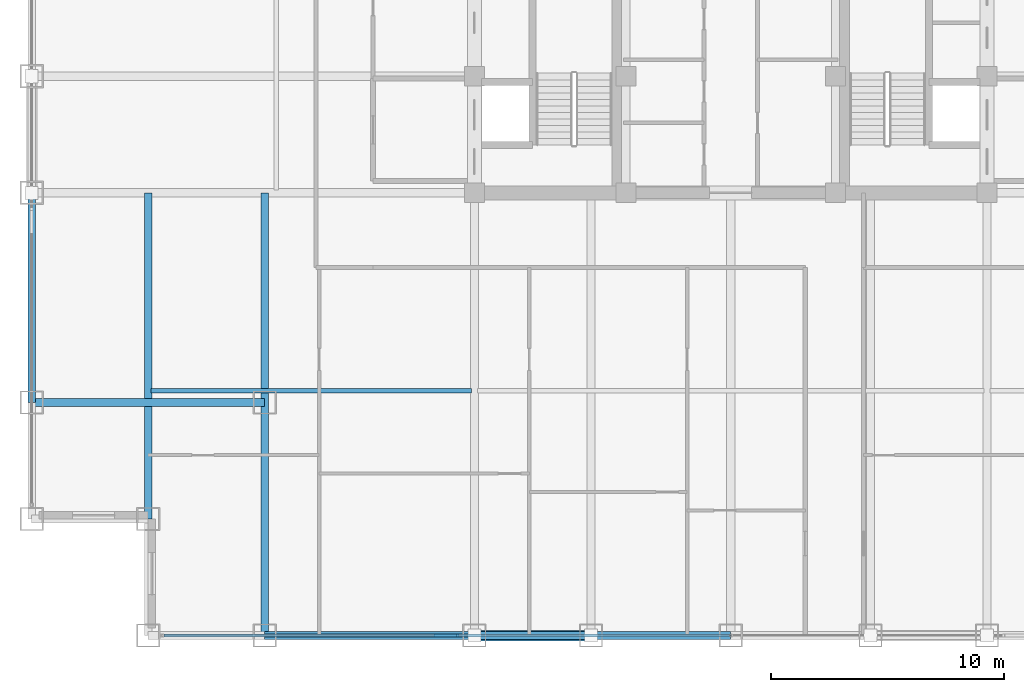
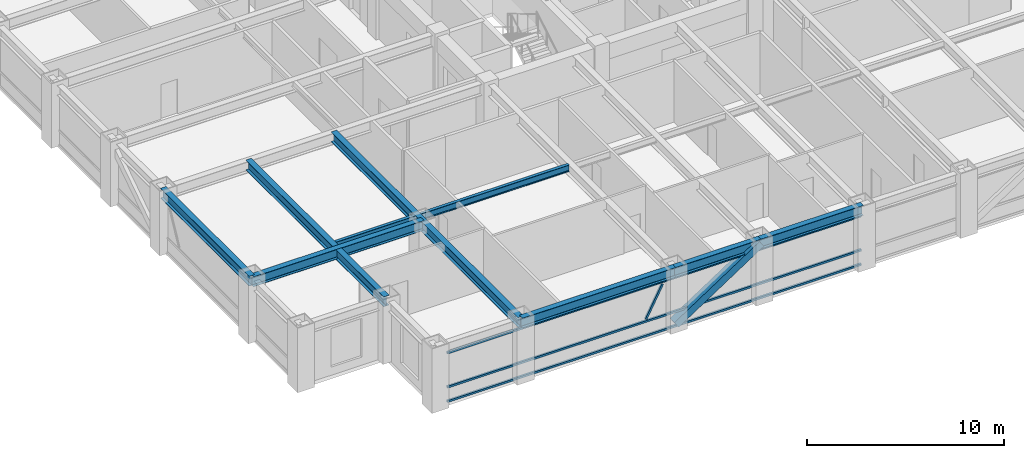
# One storey, part 3 of 24: 8 beams, 5 members, 1 element without a shape of its own.
"""IFC4 building model written with IfcOpenShell, lengths in metres."""

from ifc_helpers import new_model, si_unit, direction, frame, origin, origin_2d, place, context, subcontext, project, spatial, hollow_rectangle, i_section, extrude, source, transform, mapped, material, material_profile, profile_set, type_object, element, aggregate, save


model = new_model("IFC4")

# Units and contexts
model_context = context("Model", 3, precision=1e-05, world=origin(), true_north=direction((0.0, 1.0)))
body_context = subcontext(model_context, "Body", "Model", "MODEL_VIEW")
ifc_project = project(units=[si_unit("LENGTHUNIT", "METRE"), si_unit("AREAUNIT", "SQUARE_METRE"), si_unit("VOLUMEUNIT", "CUBIC_METRE"), si_unit("PLANEANGLEUNIT", "RADIAN"), si_unit("MASSUNIT", "GRAM", prefix="KILO")], contexts=[model_context])

# Site, building, storey
site_placement = place(None, origin())
site = spatial("IfcSite", under=ifc_project, at=site_placement, CompositionType="ELEMENT")
building_placement = place(site_placement, origin())
building = spatial("IfcBuilding", under=site, at=building_placement, Name="Khorayat Bourse Tower", CompositionType="ELEMENT")
storey_placement = place(building_placement, frame((0.0, 0.0, 211.10009765625)))
storey = spatial("IfcBuildingStorey", under=building, at=storey_placement, Name="L49", CompositionType="ELEMENT", Elevation=211.10009765625)

# Beams
ifc_material_1 = material(Name="Steel ASTM A992 Grade 50", Category="steel")
ifc_material_profile_1 = material_profile(ifc_material_1, i_section(OverallWidth=0.324951171875, OverallDepth=0.615966796875, WebThickness=0.013916015625, FlangeThickness=0.021484375, FilletRadius=0.01611328125, at=origin_2d()), Name="W610X174")
ifc_profile_set_1 = profile_set([ifc_material_profile_1], Name="Steel ASTM A992 Grade 50")
beam_type_1 = type_object("IfcBeamType", Name="BM-GIRD-610", PredefinedType="BEAM", material=ifc_profile_set_1)
shared_shape_1 = source(origin(), body_context, "Body", "SweptSolid", [
    extrude(i_section(OverallWidth=0.324951171875, OverallDepth=0.615966796875, WebThickness=0.013916015625, FlangeThickness=0.021484375, FilletRadius=0.01611328125, at=origin_2d()), origin(), (0.0, 0.0, 1.0), 19.0),
])
beam_1_placement = place(storey_placement, frame((-20.0, -30.0, 3.471923828125), z_axis=(0.0, 1.0, 0.0), x_axis=(-1.0, 0.0, 0.0)))
element("IfcBeam", 1, at=beam_1_placement, inside=storey, type_object=beam_type_1, Name="L49 BM-GIRD-610 BM-L49-CNRY-084", PredefinedType="BEAM", context=body_context, shape_type="MappedRepresentation", body=[
    mapped(shared_shape_1, transform((0.0, 0.0, 0.0), scale=1.0)),
])
shared_shape_2 = source(origin(), body_context, "Body", "SweptSolid", [
    extrude(i_section(OverallWidth=0.324951171875, OverallDepth=0.615966796875, WebThickness=0.013916015625, FlangeThickness=0.021484375, FilletRadius=0.01611328125, at=origin_2d()), origin(), (0.0, 0.0, 1.0), 10.0),
])
beam_2_placement = place(storey_placement, frame((-30.0, -20.0, 3.471923828125), z_axis=(1.0, 0.0, 0.0), x_axis=(0.0, 1.0, 0.0)))
element("IfcBeam", 2, at=beam_2_placement, inside=storey, type_object=beam_type_1, Name="L49 BM-GIRD-610 BM-L49-CNRX-093", PredefinedType="BEAM", context=body_context, shape_type="MappedRepresentation", body=[
    mapped(shared_shape_2, transform((0.0, 0.0, 0.0), scale=1.0)),
])
ifc_material_profile_2 = material_profile(ifc_material_1, i_section(OverallWidth=0.324951171875, OverallDepth=0.615966796875, WebThickness=0.013916015625, FlangeThickness=0.021484375, FilletRadius=0.01611328125, at=origin_2d()), Name="W610X174")
ifc_profile_set_2 = profile_set([ifc_material_profile_2], Name="Steel ASTM A992 Grade 50")
beam_type_2 = type_object("IfcBeamType", Name="BM-SPAN-610", PredefinedType="SPANDREL", material=ifc_profile_set_2)
shared_shape_3 = source(origin(), body_context, "Body", "SweptSolid", [
    extrude(i_section(OverallWidth=0.324951171875, OverallDepth=0.615966796875, WebThickness=0.013916015625, FlangeThickness=0.021484375, FilletRadius=0.01611328125, at=origin_2d()), origin(), (0.0, 0.0, 1.0), 9.0),
])
for number, where, z_axis, x_axis, name in (
    (3, (-20.0, -30.0, 3.471923828125), (1.0, 0.0, 0.0), (0.0, 1.0, 0.0), "L49 BM-SPAN-610 BM-L49-SPN-025"),
    (4, (-30.0, -20.0, 3.471923828125), (0.0, 1.0, 0.0), (-1.0, 0.0, 0.0), "L49 BM-SPAN-610 BM-L49-SPN-060"),
):
    element("IfcBeam", number, at=place(storey_placement, frame(where, z_axis=z_axis, x_axis=x_axis)), inside=storey, type_object=beam_type_2, Name=name, PredefinedType="SPANDREL", context=body_context, shape_type="MappedRepresentation", body=[
        mapped(shared_shape_3, transform((0.0, 0.0, 0.0), scale=1.0)),
    ])
shared_shape_4 = source(origin(), body_context, "Body", "SweptSolid", [
    extrude(i_section(OverallWidth=0.324951171875, OverallDepth=0.615966796875, WebThickness=0.013916015625, FlangeThickness=0.021484375, FilletRadius=0.01611328125, at=origin_2d()), origin(), (0.0, 0.0, 1.0), 5.0),
])
beam_3_placement = place(storey_placement, frame((-11.0, -30.0, 3.471923828125), z_axis=(1.0, 0.0, 0.0), x_axis=(0.0, 1.0, 0.0)))
element("IfcBeam", 5, at=beam_3_placement, inside=storey, type_object=beam_type_2, Name="L49 BM-SPAN-610 BM-L49-SPN-026", PredefinedType="SPANDREL", context=body_context, shape_type="MappedRepresentation", body=[
    mapped(shared_shape_4, transform((0.0, 0.0, 0.0), scale=1.0)),
])
shared_shape_5 = source(origin(), body_context, "Body", "SweptSolid", [
    extrude(i_section(OverallWidth=0.324951171875, OverallDepth=0.615966796875, WebThickness=0.013916015625, FlangeThickness=0.021484375, FilletRadius=0.01611328125, at=origin_2d()), origin(), (0.0, 0.0, 1.0), 6.0),
])
beam_4_placement = place(storey_placement, frame((-6.0, -30.0, 3.471923828125), z_axis=(1.0, 0.0, 0.0), x_axis=(0.0, 1.0, 0.0)))
element("IfcBeam", 6, at=beam_4_placement, inside=storey, type_object=beam_type_2, Name="L49 BM-SPAN-610 BM-L49-SPN-027", PredefinedType="SPANDREL", context=body_context, shape_type="MappedRepresentation", body=[
    mapped(shared_shape_5, transform((0.0, 0.0, 0.0), scale=1.0)),
])
shared_shape_6 = source(origin(), body_context, "Body", "SweptSolid", [
    extrude(i_section(OverallWidth=0.324951171875, OverallDepth=0.615966796875, WebThickness=0.013916015625, FlangeThickness=0.021484375, FilletRadius=0.01611328125, at=origin_2d()), origin(), (0.0, 0.0, 1.0), 14.0),
])
beam_5_placement = place(storey_placement, frame((-25.0, -25.0, 3.471923828125), z_axis=(0.0, 1.0, 0.0), x_axis=(-1.0, 0.0, 0.0)))
element("IfcBeam", 7, at=beam_5_placement, inside=storey, type_object=beam_type_1, Name="L49 BM-GIRD-610 BM-L49-CNRY-088", PredefinedType="BEAM", context=body_context, shape_type="MappedRepresentation", body=[
    mapped(shared_shape_6, transform((0.0, 0.0, 0.0), scale=1.0)),
])
ifc_material_profile_3 = material_profile(ifc_material_1, i_section(OverallWidth=0.180908203125, OverallDepth=0.4169921875, WebThickness=0.010986328125, FlangeThickness=0.018310546875, FilletRadius=0.011962890625, at=origin_2d()), Name="W410X85")
ifc_profile_set_3 = profile_set([ifc_material_profile_3], Name="Steel ASTM A992 Grade 50")
beam_type_3 = type_object("IfcBeamType", Name="BM-JOIST-410", PredefinedType="JOIST", material=ifc_profile_set_3)
shared_shape_7 = source(origin(), body_context, "Body", "SweptSolid", [
    extrude(i_section(OverallWidth=0.180908203125, OverallDepth=0.4169921875, WebThickness=0.010986328125, FlangeThickness=0.018310546875, FilletRadius=0.011962890625, at=origin_2d()), origin(), (0.0, 0.0, 1.0), 13.740234375),
])
beam_6_placement = place(storey_placement, frame((-24.8701171875, -19.5, 3.5712890625), z_axis=(1.0, 0.0, 0.0), x_axis=(0.0, 1.0, 0.0)))
element("IfcBeam", 8, at=beam_6_placement, inside=storey, type_object=beam_type_3, Name="L49 BM-JOIST-410 BM-L49-JSTX-096", PredefinedType="JOIST", context=body_context, shape_type="MappedRepresentation", body=[
    mapped(shared_shape_7, transform((0.0, 0.0, 0.0), scale=1.0)),
])

# Member
ifc_material_2 = material(Name="Steel EN 10025-4 S460M", Category="steel")
ifc_material_profile_4 = material_profile(ifc_material_2, hollow_rectangle(XDim=0.449951171875, YDim=0.449951171875, WallThickness=0.02490234375, at=origin_2d()), Name="HSS 450x450x25")
ifc_profile_set_4 = profile_set([ifc_material_profile_4], Name="Steel EN 10025-4 S460M")
member_type_1 = type_object("IfcMemberType", Name="MBR-TUBE-450", PredefinedType="BRACE", material=ifc_profile_set_4)
shared_shape_8 = source(origin(), body_context, "Body", "SweptSolid", [
    extrude(hollow_rectangle(XDim=0.449951171875, YDim=0.449951171875, WallThickness=0.02490234375, at=origin_2d()), origin(), (0.0, 0.0, 1.0), 5.979736328125),
])
member_1_placement = place(storey_placement, frame((-11.0, -30.0, 0.25), z_axis=(0.836160261256, 0.0, 0.548485202623), x_axis=(0.0, 1.0, 0.0)))
element("IfcMember", 9, at=member_1_placement, inside=storey, type_object=member_type_1, Name="L49 Perimeter Tube Brace 01", PredefinedType="BRACE", context=body_context, shape_type="MappedRepresentation", body=[
    mapped(shared_shape_8, transform((0.0, 0.0, 0.0), scale=1.0)),
])

# Curtain wall, members
ifc_material_3 = material(Name="Aluminium EN AW-6063 T6", Category="aluminium")
curtain_wall_type = type_object("IfcCurtainWallType", Name="CW-SYS-03", PredefinedType="NOTDEFINED", material=ifc_material_3)
curtain_wall_placement = place(storey_placement, origin())
curtain_wall = element("IfcCurtainWall", 10, at=curtain_wall_placement, inside=storey, type_object=curtain_wall_type, Name="L49 Curtain Wall CW-L49-S1", PredefinedType="NOTDEFINED")
ifc_material_profile_5 = material_profile(ifc_material_3, hollow_rectangle(XDim=0.1201171875, YDim=0.1201171875, WallThickness=0.0048828125, at=origin_2d()), Name="ALU 120x120x5")
ifc_profile_set_5 = profile_set([ifc_material_profile_5], Name="Aluminium EN AW-6063 T6")
member_type_2 = type_object("IfcMemberType", Name="CWM-DIAG-120", PredefinedType="MULLION", material=ifc_profile_set_5)
shared_shape_9 = source(origin(), body_context, "Body", "SweptSolid", [
    extrude(hollow_rectangle(XDim=0.1201171875, YDim=0.1201171875, WallThickness=0.0048828125, at=origin_2d()), origin(), (0.0, 0.0, 1.0), 2.079345703125),
])
member_2_placement = place(storey_placement, frame((-12.67919921875, -30.0, 1.08984375), z_axis=(0.465760949701, 0.0, 0.884910581773), x_axis=(0.0, 1.0, 0.0)))
member_2 = element("IfcMember", 11, at=member_2_placement, type_object=member_type_2, Name="CW-L49-S1 Faceted Diagonal Mullion 1", PredefinedType="MULLION", context=body_context, shape_type="MappedRepresentation", body=[
    mapped(shared_shape_9, transform((0.0, 0.0, 0.0), scale=1.0)),
])
ifc_material_profile_6 = material_profile(ifc_material_3, hollow_rectangle(XDim=0.1201171875, YDim=0.1201171875, WallThickness=0.0048828125, at=origin_2d()), Name="ALU 120x120x5")
ifc_profile_set_6 = profile_set([ifc_material_profile_6], Name="Aluminium EN AW-6063 T6")
member_type_3 = type_object("IfcMemberType", Name="CWT-HORZ-120", PredefinedType="USERDEFINED", material=ifc_profile_set_6)
shared_shape_10 = source(origin(), body_context, "Body", "SweptSolid", [
    extrude(hollow_rectangle(XDim=0.1201171875, YDim=0.1201171875, WallThickness=0.0048828125, at=origin_2d()), origin(), (0.0, 0.0, 1.0), 24.27001953125),
])
member_3_placement = place(storey_placement, frame((-24.330078125, -30.0, 0.059814453125), z_axis=(1.0, 0.0, 0.0), x_axis=(0.0, 1.0, 0.0)))
member_3 = element("IfcMember", 12, at=member_3_placement, type_object=member_type_3, Name="CW-L49-S1 Horizontal Transom 1-1", ObjectType="TRANSOM", PredefinedType="USERDEFINED", context=body_context, shape_type="MappedRepresentation", body=[
    mapped(shared_shape_10, transform((0.0, 0.0, 0.0), scale=1.0)),
])
member_4_placement = place(storey_placement, frame((-24.330078125, -30.0, 0.949951171875), z_axis=(1.0, 0.0, 0.0), x_axis=(0.0, 1.0, 0.0)))
member_4 = element("IfcMember", 13, at=member_4_placement, type_object=member_type_3, Name="CW-L49-S1 Horizontal Transom 1-2", ObjectType="TRANSOM", PredefinedType="USERDEFINED", context=body_context, shape_type="MappedRepresentation", body=[
    mapped(shared_shape_10, transform((0.0, 0.0, 0.0), scale=1.0)),
])
member_5_placement = place(storey_placement, frame((-24.330078125, -30.0, 3.06982421875), z_axis=(1.0, 0.0, 0.0), x_axis=(0.0, 1.0, 0.0)))
member_5 = element("IfcMember", 14, at=member_5_placement, type_object=member_type_3, Name="CW-L49-S1 Horizontal Transom 1-3", ObjectType="TRANSOM", PredefinedType="USERDEFINED", context=body_context, shape_type="MappedRepresentation", body=[
    mapped(shared_shape_10, transform((0.0, 0.0, 0.0), scale=1.0)),
])
aggregate(curtain_wall, [member_3, member_4, member_5, member_2])

save(model, "model.ifc")
